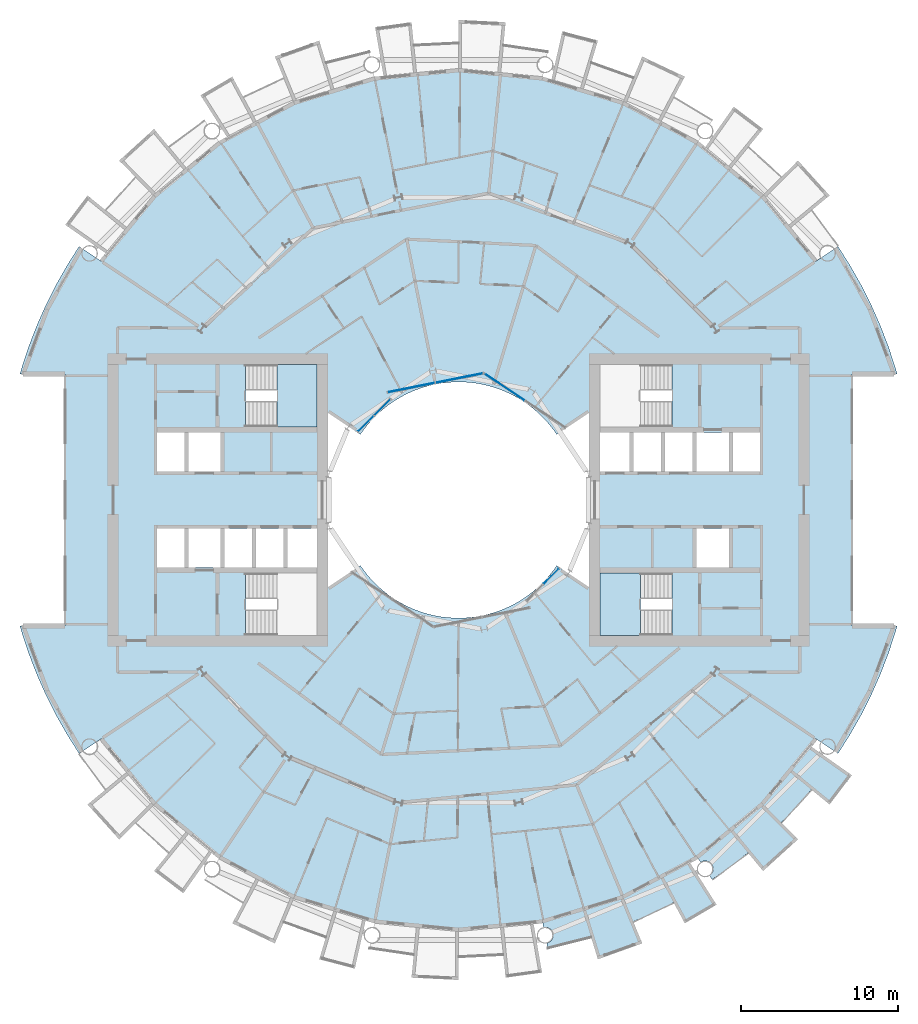
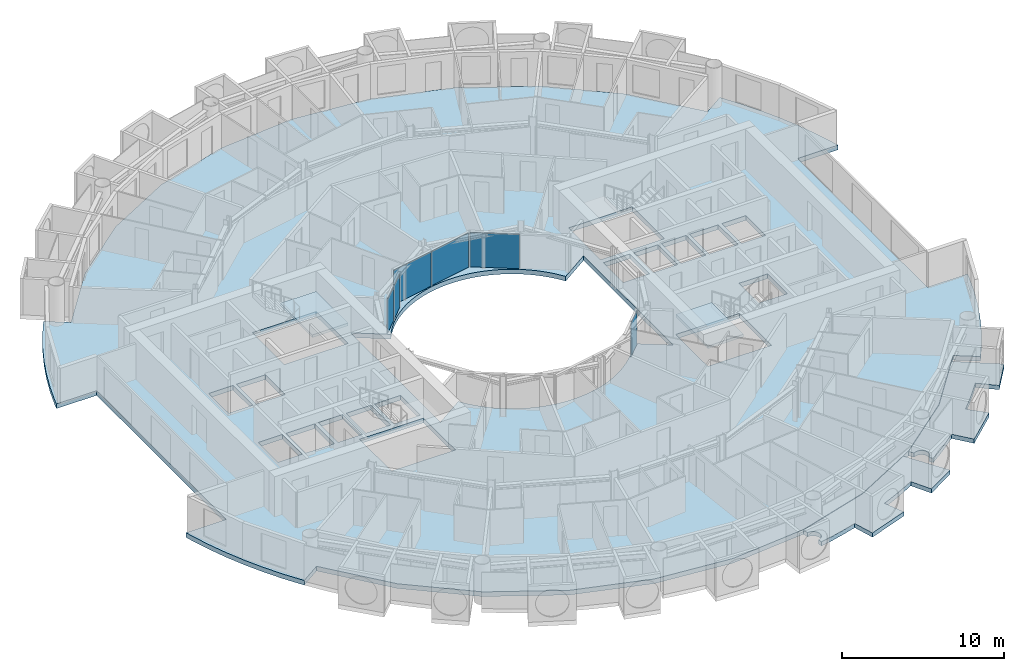
# One storey, part 10 of 26: 6 plates, 5 slabs, 6 elements without a shape of their own.
"""IFC4 building model written with IfcOpenShell, lengths in metres."""

from ifc_helpers import new_model, si_unit, direction, frame, origin, origin_2d, place, context, subcontext, project, spatial, polyline, rectangle, outline, extrude, material, layer, layer_set, type_object, element, aggregate, save


model = new_model("IFC4")

# Units and contexts
model_context = context("Model", 3, precision=1e-05, world=origin(), true_north=direction((0.0, 1.0)))
body_context = subcontext(model_context, "Body", "Model", "MODEL_VIEW")
ifc_project = project(units=[si_unit("LENGTHUNIT", "METRE"), si_unit("AREAUNIT", "SQUARE_METRE"), si_unit("VOLUMEUNIT", "CUBIC_METRE"), si_unit("PLANEANGLEUNIT", "RADIAN"), si_unit("MASSUNIT", "GRAM", prefix="KILO")], contexts=[model_context])

# Site, building, storey
site_placement = place(None, origin())
site = spatial("IfcSite", under=ifc_project, at=site_placement, CompositionType="ELEMENT")
building_placement = place(site_placement, origin())
building = spatial("IfcBuilding", under=site, at=building_placement, Name="Maasbend Ring Residences", CompositionType="ELEMENT")
storey_placement = place(building_placement, frame((0.0, 0.0, 63.60009765625)))
storey = spatial("IfcBuildingStorey", under=building, at=storey_placement, Name="L17", CompositionType="ELEMENT", Elevation=63.60009765625)

# Stair, slab
ifc_material_1 = material(Name="Concrete C40/50", Category="concrete")
stair_type = type_object("IfcStairType", Name="CORE STAIR 18 RISERS", PredefinedType="HALF_TURN_STAIR", material=ifc_material_1)
stair_1_placement = place(storey_placement, origin())
stair_1 = element("IfcStair", 1, at=stair_1_placement, inside=storey, type_object=stair_type, Name="L17 Exit stair ST-E2", PredefinedType="HALF_TURN_STAIR")
ifc_material_2 = material(Name="Concrete C40/50", Category="concrete")
ifc_layer_1 = layer(ifc_material_2, 0.199951171875)
ifc_layer_set_1 = layer_set([ifc_layer_1], Name="Concrete C40/50")
slab_type_1 = type_object("IfcSlabType", Name="CORE STAIR LANDING 200", PredefinedType="LANDING", material=ifc_layer_set_1)
slab_1_placement = place(storey_placement, frame((0.0, 0.0, 1.324951171875)))
slab_1 = element("IfcSlab", 2, at=slab_1_placement, type_object=slab_type_1, Name="ST-E2 landing 1", PredefinedType="LANDING", context=body_context, shape_type="SweptSolid", body=[
    extrude(outline(polyline([(11.550048828125, -4.64990234375), (9.0, -4.64990234375), (9.0, -8.60009765625), (11.550048828125, -8.60009765625), (11.550048828125, -4.64990234375)])), origin(), (0.0, 0.0, 1.0), 0.199951171875),
])
aggregate(stair_1, [slab_1])

stair_2_placement = place(storey_placement, origin())
stair_2 = element("IfcStair", 3, at=stair_2_placement, inside=storey, type_object=stair_type, Name="L17 Exit stair ST-W2", PredefinedType="HALF_TURN_STAIR")
slab_2_placement = place(storey_placement, frame((0.0, 0.0, 1.324951171875)))
slab_2 = element("IfcSlab", 4, at=slab_2_placement, type_object=slab_type_1, Name="ST-W2 landing 1", PredefinedType="LANDING", context=body_context, shape_type="SweptSolid", body=[
    extrude(outline(polyline([(-11.550048828125, 4.64990234375), (-9.0, 4.64990234375), (-9.0, 8.60009765625), (-11.550048828125, 8.60009765625), (-11.550048828125, 4.64990234375)])), origin(), (0.0, 0.0, 1.0), 0.199951171875),
])
aggregate(stair_2, [slab_2])

# Curtain wall, plate
ifc_material_3 = material(Name="Aluminium and clear glass", Category="aluminium")
ifc_layer_2 = layer(ifc_material_3, 0.179931640625)
ifc_layer_set_2 = layer_set([ifc_layer_2], Name="CW-W")
curtain_wall_type = type_object("IfcCurtainWallType", Name="CW-W", PredefinedType="NOTDEFINED", material=ifc_layer_set_2)
curtain_wall_1_placement = place(storey_placement, origin())
curtain_wall_1 = element("IfcCurtainWall", 5, at=curtain_wall_1_placement, inside=storey, type_object=curtain_wall_type, Name="Well curtain wall N1", PredefinedType="NOTDEFINED")
ifc_material_4 = material(Name="Glass clear laminated", Category="glass")
ifc_layer_3 = layer(ifc_material_4, 0.031982421875)
ifc_layer_set_3 = layer_set([ifc_layer_3], Name="CWP-W")
plate_type = type_object("IfcPlateType", Name="CWP-W", PredefinedType="CURTAIN_PANEL", material=ifc_layer_set_3)
plate_1_placement = place(storey_placement, frame((2.922119140625, 7.17578125, -0.000244140625), z_axis=(0.0, 0.0, 1.0), x_axis=(-0.831469612303, 0.55557023302, 0.0)))
plate_1 = element("IfcPlate", 6, at=plate_1_placement, type_object=plate_type, Name="Glass panel well face", PredefinedType="CURTAIN_PANEL", context=body_context, shape_type="SweptSolid", body=[
    extrude(rectangle(XDim=3.053955078125, YDim=0.031982421875, at=origin_2d()), origin(), (0.0, 0.0, 1.0), 2.580078125),
])
aggregate(curtain_wall_1, [plate_1])

# Curtain wall, plates
curtain_wall_2_placement = place(storey_placement, origin())
curtain_wall_2 = element("IfcCurtainWall", 7, at=curtain_wall_2_placement, inside=storey, type_object=curtain_wall_type, Name="Well curtain wall N2", PredefinedType="NOTDEFINED")
plate_2_placement = place(storey_placement, frame((0.04638671875, 7.747802734375, -0.000244140625), z_axis=(0.0, 0.0, 1.0), x_axis=(-0.980785280403, -0.195090322016, 0.0)))
plate_2 = element("IfcPlate", 8, at=plate_2_placement, type_object=plate_type, Name="Glass panel well face", PredefinedType="CURTAIN_PANEL", context=body_context, shape_type="SweptSolid", body=[
    extrude(rectangle(XDim=3.053955078125, YDim=0.031982421875, at=origin_2d()), origin(), (0.0, 0.0, 1.0), 2.580078125),
])
plate_3_placement = place(storey_placement, frame((-3.0078125, 7.140380859375, -0.000244140625), z_axis=(0.0, 0.0, 1.0), x_axis=(-0.980785280403, -0.195090322016, 0.0)))
plate_3 = element("IfcPlate", 9, at=plate_3_placement, type_object=plate_type, Name="Glass panel well face", PredefinedType="CURTAIN_PANEL", context=body_context, shape_type="SweptSolid", body=[
    extrude(rectangle(XDim=3.053955078125, YDim=0.031982421875, at=origin_2d()), origin(), (0.0, 0.0, 1.0), 2.580078125),
])
aggregate(curtain_wall_2, [plate_2, plate_3])

curtain_wall_3_placement = place(storey_placement, origin())
curtain_wall_3 = element("IfcCurtainWall", 10, at=curtain_wall_3_placement, inside=storey, type_object=curtain_wall_type, Name="Well curtain wall N3", PredefinedType="NOTDEFINED")
plate_4_placement = place(storey_placement, frame((-4.84375, 5.89013671875, -0.000244140625), z_axis=(0.0, 0.0, 1.0), x_axis=(-0.707106781187, -0.707106781187, 0.0)))
plate_4 = element("IfcPlate", 11, at=plate_4_placement, type_object=plate_type, Name="Glass panel well face", PredefinedType="CURTAIN_PANEL", context=body_context, shape_type="SweptSolid", body=[
    extrude(rectangle(XDim=1.419677734375, YDim=0.031982421875, at=origin_2d()), origin(), (0.0, 0.0, 1.0), 2.580078125),
])
plate_5_placement = place(storey_placement, frame((-5.89013671875, 4.84375, -0.000244140625), z_axis=(0.0, 0.0, 1.0), x_axis=(-0.707106781187, -0.707106781187, 0.0)))
plate_5 = element("IfcPlate", 12, at=plate_5_placement, type_object=plate_type, Name="Glass panel well face", PredefinedType="CURTAIN_PANEL", context=body_context, shape_type="SweptSolid", body=[
    extrude(rectangle(XDim=1.419677734375, YDim=0.031982421875, at=origin_2d()), origin(), (0.0, 0.0, 1.0), 2.580078125),
])
aggregate(curtain_wall_3, [plate_4, plate_5])

# Curtain wall, plate
curtain_wall_4_placement = place(storey_placement, origin())
curtain_wall_4 = element("IfcCurtainWall", 13, at=curtain_wall_4_placement, inside=storey, type_object=curtain_wall_type, Name="Well curtain wall S3", PredefinedType="NOTDEFINED")
plate_6_placement = place(storey_placement, frame((5.89013671875, -4.84375, -0.000244140625), z_axis=(0.0, 0.0, 1.0), x_axis=(0.707106781187, 0.707106781187, 0.0)))
plate_6 = element("IfcPlate", 14, at=plate_6_placement, type_object=plate_type, Name="Glass panel well face", PredefinedType="CURTAIN_PANEL", context=body_context, shape_type="SweptSolid", body=[
    extrude(rectangle(XDim=1.419677734375, YDim=0.031982421875, at=origin_2d()), origin(), (0.0, 0.0, 1.0), 2.580078125),
])
aggregate(curtain_wall_4, [plate_6])

# Slabs
ifc_material_5 = material(Name="Concrete C40/50", Category="concrete")
ifc_layer_4 = layer(ifc_material_5, 0.35009765625)
ifc_layer_set_4 = layer_set([ifc_layer_4], Name="Concrete C40/50")
slab_type_2 = type_object("IfcSlabType", Name="Post-tensioned flat plate 350", PredefinedType="FLOOR", material=ifc_layer_set_4)
slab_3_placement = place(storey_placement, frame((0.0, 0.0, -0.35009765625)))
element("IfcSlab", 15, at=slab_3_placement, inside=storey, type_object=slab_type_2, Name="Floor slab L17", PredefinedType="FLOOR", context=body_context, shape_type="SweptSolid", body=[
    extrude(outline(polyline([(24.8740234375, -14.908935546875), (25.57568359375, -13.67041015625), (26.2158203125, -12.399169921875), (26.79248046875, -11.097900390625), (27.3046875, -9.769775390625), (27.751220703125, -8.418212890625), (27.866943359375, -8.0), (25.0, -8.0), (25.0, 8.0), (27.866943359375, 8.0), (27.751220703125, 8.418212890625), (27.3046875, 9.769775390625), (26.79248046875, 11.097900390625), (26.2158203125, 12.399169921875), (25.57568359375, 13.67041015625), (24.8740234375, 14.908935546875), (24.112548828125, 16.111572265625), (22.69921875, 15.1669921875), (19.303955078125, 19.303955078125), (15.1669921875, 22.69921875), (10.447265625, 25.221923828125), (5.325927734375, 26.775390625), (0.0, 27.300048828125), (-5.325927734375, 26.775390625), (-10.447265625, 25.221923828125), (-15.1669921875, 22.69921875), (-19.303955078125, 19.303955078125), (-22.69921875, 15.1669921875), (-24.112548828125, 16.111572265625), (-24.8740234375, 14.908935546875), (-25.57568359375, 13.67041015625), (-26.2158203125, 12.399169921875), (-26.79248046875, 11.097900390625), (-27.3046875, 9.769775390625), (-27.751220703125, 8.418212890625), (-27.866943359375, 8.0), (-25.0, 8.0), (-25.0, -8.0), (-27.866943359375, -8.0), (-27.751220703125, -8.418212890625), (-27.3046875, -9.769775390625), (-26.79248046875, -11.097900390625), (-26.2158203125, -12.399169921875), (-25.57568359375, -13.67041015625), (-24.8740234375, -14.908935546875), (-24.112548828125, -16.111572265625), (-22.69921875, -15.1669921875), (-19.303955078125, -19.303955078125), (-15.1669921875, -22.69921875), (-10.447265625, -25.221923828125), (-5.325927734375, -26.775390625), (0.0, -27.300048828125), (5.325927734375, -26.775390625), (10.447265625, -25.221923828125), (15.1669921875, -22.69921875), (19.303955078125, -19.303955078125), (22.69921875, -15.1669921875), (24.112548828125, -16.111572265625), (24.8740234375, -14.908935546875)]), holes=[polyline([(17.425048828125, 4.27490234375), (19.14990234375, 4.27490234375), (19.14990234375, 1.824951171875), (17.425048828125, 1.824951171875), (17.425048828125, 4.27490234375)]), polyline([(15.125, 1.824951171875), (15.125, 4.27490234375), (17.175048828125, 4.27490234375), (17.175048828125, 1.824951171875), (15.125, 1.824951171875)]), polyline([(15.125, -4.27490234375), (15.125, -1.824951171875), (17.175048828125, -1.824951171875), (17.175048828125, -4.27490234375), (15.125, -4.27490234375)]), polyline([(13.125, 1.824951171875), (13.125, 4.27490234375), (14.875, 4.27490234375), (14.875, 1.824951171875), (13.125, 1.824951171875)]), polyline([(13.550048828125, 4.64990234375), (9.0, 4.64990234375), (9.0, 8.60009765625), (13.550048828125, 8.60009765625), (13.550048828125, 4.64990234375)]), polyline([(13.550048828125, -4.64990234375), (13.550048828125, -8.60009765625), (9.0, -8.60009765625), (9.0, -4.64990234375), (13.550048828125, -4.64990234375)]), polyline([(11.125, 1.824951171875), (11.125, 4.27490234375), (12.875, 4.27490234375), (12.875, 1.824951171875), (11.125, 1.824951171875)]), polyline([(9.0, 1.824951171875), (9.0, 4.27490234375), (10.875, 4.27490234375), (10.875, 1.824951171875), (9.0, 1.824951171875)]), polyline([(6.024169921875, 4.4677734375), (6.236083984375, 4.166748046875), (8.300048828125, 5.5458984375), (8.300048828125, -5.5458984375), (6.236083984375, -4.166748046875), (6.024169921875, -4.4677734375), (5.797607421875, -4.7578125), (5.55712890625, -5.03662109375), (5.30322265625, -5.30322265625), (5.03662109375, -5.55712890625), (4.7578125, -5.797607421875), (4.4677734375, -6.024169921875), (4.166748046875, -6.236083984375), (3.855712890625, -6.43310546875), (3.535400390625, -6.614501953125), (3.206787109375, -6.77978515625), (2.8701171875, -6.92919921875), (2.526611328125, -7.0615234375), (2.177001953125, -7.177001953125), (1.822509765625, -7.275146484375), (1.463134765625, -7.35595703125), (1.1005859375, -7.418701171875), (0.735107421875, -7.4638671875), (0.367919921875, -7.490966796875), (0.0, -7.5), (-0.367919921875, -7.490966796875), (-0.735107421875, -7.4638671875), (-1.1005859375, -7.418701171875), (-1.463134765625, -7.35595703125), (-1.822509765625, -7.275146484375), (-2.177001953125, -7.177001953125), (-2.526611328125, -7.0615234375), (-2.8701171875, -6.92919921875), (-3.206787109375, -6.77978515625), (-3.535400390625, -6.614501953125), (-3.855712890625, -6.43310546875), (-4.166748046875, -6.236083984375), (-4.4677734375, -6.024169921875), (-4.7578125, -5.797607421875), (-5.03662109375, -5.55712890625), (-5.30322265625, -5.30322265625), (-5.55712890625, -5.03662109375), (-5.797607421875, -4.7578125), (-6.024169921875, -4.4677734375), (-6.236083984375, -4.166748046875), (-8.300048828125, -5.5458984375), (-8.300048828125, 5.5458984375), (-6.236083984375, 4.166748046875), (-6.236083984375, 4.166748046875), (-6.024169921875, 4.4677734375), (-5.797607421875, 4.7578125), (-5.55712890625, 5.03662109375), (-5.30322265625, 5.30322265625), (-5.03662109375, 5.55712890625), (-4.7578125, 5.797607421875), (-4.4677734375, 6.024169921875), (-4.166748046875, 6.236083984375), (-3.855712890625, 6.43310546875), (-3.535400390625, 6.614501953125), (-3.206787109375, 6.77978515625), (-2.8701171875, 6.92919921875), (-2.526611328125, 7.0615234375), (-2.177001953125, 7.177001953125), (-1.822509765625, 7.275146484375), (-1.463134765625, 7.35595703125), (-1.1005859375, 7.418701171875), (-0.735107421875, 7.4638671875), (-0.367919921875, 7.490966796875), (0.0, 7.5), (0.367919921875, 7.490966796875), (0.735107421875, 7.4638671875), (1.1005859375, 7.418701171875), (1.463134765625, 7.35595703125), (1.822509765625, 7.275146484375), (2.177001953125, 7.177001953125), (2.526611328125, 7.0615234375), (2.8701171875, 6.92919921875), (3.206787109375, 6.77978515625), (3.535400390625, 6.614501953125), (3.855712890625, 6.43310546875), (4.166748046875, 6.236083984375), (4.4677734375, 6.024169921875), (4.7578125, 5.797607421875), (5.03662109375, 5.55712890625), (5.30322265625, 5.30322265625), (5.55712890625, 5.03662109375), (5.797607421875, 4.7578125), (6.024169921875, 4.4677734375)]), polyline([(-13.550048828125, 4.64990234375), (-13.550048828125, 8.60009765625), (-9.0, 8.60009765625), (-9.0, 4.64990234375), (-13.550048828125, 4.64990234375)]), polyline([(-13.550048828125, -8.60009765625), (-13.550048828125, -4.64990234375), (-9.0, -4.64990234375), (-9.0, -8.60009765625), (-13.550048828125, -8.60009765625)]), polyline([(-9.0, -1.824951171875), (-9.0, -4.27490234375), (-10.875, -4.27490234375), (-10.875, -1.824951171875), (-9.0, -1.824951171875)]), polyline([(-11.125, -1.824951171875), (-11.125, -4.27490234375), (-12.875, -4.27490234375), (-12.875, -1.824951171875), (-11.125, -1.824951171875)]), polyline([(-13.125, -1.824951171875), (-13.125, -4.27490234375), (-14.875, -4.27490234375), (-14.875, -1.824951171875), (-13.125, -1.824951171875)]), polyline([(-15.125, 4.27490234375), (-15.125, 1.824951171875), (-17.175048828125, 1.824951171875), (-17.175048828125, 4.27490234375), (-15.125, 4.27490234375)]), polyline([(-15.125, -1.824951171875), (-15.125, -4.27490234375), (-17.175048828125, -4.27490234375), (-17.175048828125, -1.824951171875), (-15.125, -1.824951171875)]), polyline([(-17.425048828125, -1.824951171875), (-17.425048828125, -4.27490234375), (-19.14990234375, -4.27490234375), (-19.14990234375, -1.824951171875), (-17.425048828125, -1.824951171875)]), polyline([(-17.425048828125, 4.27490234375), (-17.425048828125, 1.824951171875), (-19.14990234375, 1.824951171875), (-19.14990234375, 4.27490234375), (-17.425048828125, 4.27490234375)])]), origin(), (0.0, 0.0, 1.0), 0.35009765625),
])
ifc_material_6 = material(Name="Concrete C40/50", Category="concrete")
ifc_layer_5 = layer(ifc_material_6, 0.199951171875)
ifc_layer_set_5 = layer_set([ifc_layer_5], Name="Concrete C40/50")
slab_type_3 = type_object("IfcSlabType", Name="SL-LOGGIA", PredefinedType="FLOOR", material=ifc_layer_set_5)
slab_4_placement = place(storey_placement, frame((0.0, 0.0, -0.35009765625)))
element("IfcSlab", 16, at=slab_4_placement, inside=storey, type_object=slab_type_3, Name="Loggia floor 2", PredefinedType="FLOOR", context=body_context, shape_type="SweptSolid", body=[
    extrude(outline(polyline([(10.447021484375, -25.221923828125), (12.806884765625, -23.9609375), (14.64599609375, -22.97705078125), (14.64599609375, -22.97705078125), (14.64599609375, -22.97705078125), (16.39404296875, -25.718994140625), (16.39404296875, -25.718994140625), (16.39404296875, -25.718994140625), (14.3779296875, -26.89892578125), (14.3779296875, -26.89892578125), (14.3779296875, -26.89892578125), (13.6708984375, -25.575927734375), (13.6708984375, -25.575927734375), (13.6708984375, -25.575927734375), (13.6708984375, -25.575927734375), (13.6708984375, -25.575927734375), (13.6708984375, -25.575927734375), (13.6708984375, -25.575927734375), (13.669921875, -25.575927734375), (13.669921875, -25.575927734375), (13.669921875, -25.575927734375), (13.669921875, -25.575927734375), (13.669921875, -25.575927734375), (13.669921875, -25.575927734375), (13.669921875, -25.575927734375), (13.669921875, -25.575927734375), (13.669921875, -25.575927734375), (13.669921875, -25.575927734375), (12.825927734375, -26.009033203125), (12.825927734375, -26.009033203125), (11.968994140625, -26.4150390625), (11.968994140625, -26.4150390625), (11.097900390625, -26.7919921875), (11.097900390625, -26.7919921875), (11.097900390625, -26.7919921875), (11.097900390625, -26.7919921875), (11.097900390625, -26.7919921875), (11.097900390625, -26.7919921875), (11.097900390625, -26.7919921875), (11.097900390625, -26.79296875), (11.097900390625, -26.79296875), (11.097900390625, -26.79296875), (11.097900390625, -26.79296875), (11.097900390625, -26.79296875), (11.097900390625, -26.79296875), (11.097900390625, -26.79296875), (11.097900390625, -26.79296875), (11.097900390625, -26.79296875), (11.097900390625, -26.79296875), (11.672119140625, -28.177978515625), (11.672119140625, -28.177978515625), (11.672119140625, -28.177978515625), (8.85400390625, -29.18701171875), (8.85400390625, -29.18701171875), (8.85400390625, -29.18701171875), (8.41796875, -27.751953125), (8.41796875, -27.751953125), (8.41796875, -27.751953125), (8.41796875, -27.751953125), (8.41796875, -27.751953125), (8.41796875, -27.751953125), (8.41796875, -27.751953125), (8.41796875, -27.7509765625), (8.41796875, -27.7509765625), (8.41796875, -27.7509765625), (8.41796875, -27.7509765625), (8.41796875, -27.7509765625), (8.41796875, -27.7509765625), (8.41796875, -27.7509765625), (8.41796875, -27.7509765625), (8.41796875, -27.7509765625), (8.41796875, -27.7509765625), (7.506103515625, -28.011962890625), (7.506103515625, -28.011962890625), (6.5849609375, -28.241943359375), (6.5849609375, -28.241943359375), (5.657958984375, -28.443115234375), (5.657958984375, -28.443115234375), (5.657958984375, -28.443115234375), (5.60107421875, -28.156005859375), (5.613037109375, -28.154052734375), (5.625, -28.15087890625), (5.636962890625, -28.14794921875), (5.64892578125, -28.14404296875), (5.660888671875, -28.139892578125), (5.673095703125, -28.135986328125), (5.68408203125, -28.132080078125), (5.696044921875, -28.126953125), (5.70703125, -28.123046875), (5.718994140625, -28.116943359375), (5.72998046875, -28.112060546875), (5.740966796875, -28.10595703125), (5.751953125, -28.10009765625), (5.762939453125, -28.093994140625), (5.77294921875, -28.0869140625), (5.783935546875, -28.080078125), (5.7939453125, -28.072998046875), (5.803955078125, -28.06591796875), (5.81396484375, -28.05908203125), (5.823974609375, -28.051025390625), (5.8330078125, -28.04296875), (5.843017578125, -28.034912109375), (5.85205078125, -28.02587890625), (5.861083984375, -28.01708984375), (5.868896484375, -28.008056640625), (5.8779296875, -27.9990234375), (5.885986328125, -27.989990234375), (5.89404296875, -27.97998046875), (5.902099609375, -27.970947265625), (5.909912109375, -27.9609375), (5.9169921875, -27.950927734375), (5.924072265625, -27.93994140625), (5.930908203125, -27.929931640625), (5.93701171875, -27.9189453125), (5.944091796875, -27.907958984375), (5.949951171875, -27.89794921875), (5.955078125, -27.886962890625), (5.9609375, -27.875), (5.966064453125, -27.864013671875), (5.970947265625, -27.85302734375), (5.97509765625, -27.841064453125), (5.97998046875, -27.8291015625), (5.98388671875, -27.81689453125), (5.988037109375, -27.805908203125), (5.990966796875, -27.7939453125), (5.993896484375, -27.781982421875), (5.9970703125, -27.76904296875), (6.0, -27.757080078125), (6.001953125, -27.7451171875), (6.00390625, -27.73291015625), (6.006103515625, -27.719970703125), (6.007080078125, -27.7080078125), (6.008056640625, -27.695068359375), (6.009033203125, -27.68310546875), (6.009033203125, -27.6708984375), (6.010009765625, -27.657958984375), (6.009033203125, -27.64599609375), (6.009033203125, -27.633056640625), (6.008056640625, -27.62109375), (6.007080078125, -27.60791015625), (6.006103515625, -27.595947265625), (6.00390625, -27.583984375), (6.001953125, -27.571044921875), (6.0, -27.55908203125), (5.9970703125, -27.547119140625), (5.993896484375, -27.534912109375), (5.990966796875, -27.52294921875), (5.988037109375, -27.510986328125), (5.98388671875, -27.4990234375), (5.97998046875, -27.487060546875), (5.97509765625, -27.47509765625), (5.970947265625, -27.464111328125), (5.966064453125, -27.451904296875), (5.9609375, -27.44091796875), (5.955078125, -27.429931640625), (5.949951171875, -27.4189453125), (5.944091796875, -27.407958984375), (5.93701171875, -27.39697265625), (5.930908203125, -27.385986328125), (5.924072265625, -27.3759765625), (5.9169921875, -27.365966796875), (5.909912109375, -27.35498046875), (5.902099609375, -27.345947265625), (5.89404296875, -27.3359375), (5.885986328125, -27.325927734375), (5.8779296875, -27.31689453125), (5.868896484375, -27.30810546875), (5.861083984375, -27.299072265625), (5.85205078125, -27.2900390625), (5.843017578125, -27.281982421875), (5.8330078125, -27.27294921875), (5.823974609375, -27.264892578125), (5.81396484375, -27.258056640625), (5.803955078125, -27.25), (5.7939453125, -27.242919921875), (5.783935546875, -27.236083984375), (5.77294921875, -27.22900390625), (5.762939453125, -27.221923828125), (5.751953125, -27.216064453125), (5.740966796875, -27.2099609375), (5.72998046875, -27.2041015625), (5.718994140625, -27.198974609375), (5.70703125, -27.194091796875), (5.696044921875, -27.18896484375), (5.68408203125, -27.18408203125), (5.673095703125, -27.179931640625), (5.660888671875, -27.176025390625), (5.64892578125, -27.172119140625), (5.636962890625, -27.1689453125), (5.625, -27.1650390625), (5.613037109375, -27.162109375), (5.60107421875, -27.159912109375), (5.587890625, -27.157958984375), (5.575927734375, -27.156005859375), (5.56396484375, -27.154052734375), (5.551025390625, -27.153076171875), (5.5390625, -27.15087890625), (5.52587890625, -27.15087890625), (5.513916015625, -27.14990234375), (5.501953125, -27.14990234375), (5.489013671875, -27.14990234375), (5.47705078125, -27.15087890625), (5.464111328125, -27.15087890625), (5.451904296875, -27.153076171875), (5.43896484375, -27.154052734375), (5.427001953125, -27.156005859375), (5.4150390625, -27.157958984375), (5.402099609375, -27.159912109375), (5.325927734375, -26.77490234375), (5.325927734375, -26.77490234375), (5.325927734375, -26.77490234375), (7.886962890625, -25.9990234375), (10.447021484375, -25.221923828125), (10.447021484375, -25.221923828125), (10.447021484375, -25.221923828125)])), origin(), (0.0, 0.0, 1.0), 0.320068359375),
])
slab_5_placement = place(storey_placement, frame((0.0, 0.0, -0.35009765625)))
element("IfcSlab", 17, at=slab_5_placement, inside=storey, type_object=slab_type_3, Name="Loggia floor 5", PredefinedType="FLOOR", context=body_context, shape_type="SweptSolid", body=[
    extrude(outline(polyline([(19.303955078125, -19.303955078125), (21.001953125, -17.236083984375), (22.324951171875, -15.623046875), (22.324951171875, -15.623046875), (22.324951171875, -15.623046875), (24.989013671875, -17.488037109375), (24.989013671875, -17.488037109375), (24.989013671875, -17.488037109375), (23.576904296875, -19.34912109375), (23.576904296875, -19.34912109375), (23.576904296875, -19.34912109375), (22.41796875, -18.39794921875), (22.41796875, -18.39794921875), (22.41796875, -18.39794921875), (22.41796875, -18.39794921875), (22.41796875, -18.39794921875), (22.4169921875, -18.39794921875), (22.4169921875, -18.39794921875), (22.4169921875, -18.39794921875), (22.4169921875, -18.39794921875), (22.4169921875, -18.39794921875), (22.4169921875, -18.39794921875), (22.4169921875, -18.39794921875), (22.4169921875, -18.39794921875), (22.4169921875, -18.39794921875), (22.4169921875, -18.39794921875), (22.4169921875, -18.39794921875), (22.4169921875, -18.39794921875), (21.802978515625, -19.12109375), (21.802978515625, -19.12109375), (21.166015625, -19.823974609375), (21.166015625, -19.823974609375), (20.506103515625, -20.506103515625), (20.506103515625, -20.506103515625), (20.506103515625, -20.506103515625), (20.506103515625, -20.506103515625), (20.506103515625, -20.506103515625), (20.506103515625, -20.506103515625), (20.506103515625, -20.506103515625), (20.506103515625, -20.506103515625), (20.506103515625, -20.506103515625), (20.506103515625, -20.506103515625), (20.506103515625, -20.506103515625), (20.506103515625, -20.506103515625), (20.506103515625, -20.506103515625), (20.506103515625, -20.506103515625), (20.506103515625, -20.506103515625), (20.506103515625, -20.506103515625), (20.506103515625, -20.506103515625), (21.56689453125, -21.56689453125), (21.56689453125, -21.56689453125), (21.56689453125, -21.56689453125), (19.34912109375, -23.576904296875), (19.34912109375, -23.576904296875), (19.34912109375, -23.576904296875), (18.39794921875, -22.41796875), (18.39794921875, -22.41796875), (18.39794921875, -22.41796875), (18.39794921875, -22.41796875), (18.39794921875, -22.41796875), (18.39794921875, -22.41796875), (18.39697265625, -22.41796875), (18.39697265625, -22.41796875), (18.39697265625, -22.41796875), (18.39697265625, -22.41796875), (18.39697265625, -22.41796875), (18.39697265625, -22.41796875), (18.39697265625, -22.41796875), (18.39697265625, -22.41796875), (18.39697265625, -22.41796875), (18.39697265625, -22.41796875), (18.39697265625, -22.41796875), (17.654052734375, -23.007080078125), (17.654052734375, -23.007080078125), (16.89208984375, -23.572998046875), (16.89208984375, -23.572998046875), (16.112060546875, -24.113037109375), (16.112060546875, -24.113037109375), (16.112060546875, -24.113037109375), (15.948974609375, -23.8701171875), (15.948974609375, -23.8701171875), (15.9599609375, -23.863037109375), (15.969970703125, -23.85498046875), (15.97998046875, -23.847900390625), (15.989013671875, -23.840087890625), (15.9990234375, -23.83203125), (16.008056640625, -23.823974609375), (16.01708984375, -23.81494140625), (16.02587890625, -23.806884765625), (16.034912109375, -23.798095703125), (16.0439453125, -23.7890625), (16.052001953125, -23.779052734375), (16.06005859375, -23.77001953125), (16.068115234375, -23.760009765625), (16.074951171875, -23.75), (16.08203125, -23.739990234375), (16.089111328125, -23.72998046875), (16.095947265625, -23.718994140625), (16.10302734375, -23.708984375), (16.10888671875, -23.697998046875), (16.114990234375, -23.68701171875), (16.12109375, -23.676025390625), (16.1259765625, -23.6650390625), (16.132080078125, -23.653076171875), (16.135986328125, -23.64208984375), (16.14111328125, -23.6298828125), (16.14501953125, -23.618896484375), (16.14892578125, -23.60693359375), (16.153076171875, -23.594970703125), (16.156982421875, -23.5830078125), (16.159912109375, -23.571044921875), (16.1630859375, -23.55908203125), (16.1650390625, -23.547119140625), (16.16796875, -23.533935546875), (16.169921875, -23.52197265625), (16.1708984375, -23.510009765625), (16.173095703125, -23.4970703125), (16.174072265625, -23.485107421875), (16.174072265625, -23.471923828125), (16.175048828125, -23.4599609375), (16.175048828125, -23.447021484375), (16.175048828125, -23.43505859375), (16.174072265625, -23.422119140625), (16.174072265625, -23.409912109375), (16.173095703125, -23.39794921875), (16.1708984375, -23.385009765625), (16.169921875, -23.373046875), (16.16796875, -23.361083984375), (16.1650390625, -23.347900390625), (16.1630859375, -23.3359375), (16.159912109375, -23.323974609375), (16.156982421875, -23.31201171875), (16.153076171875, -23.300048828125), (16.14892578125, -23.2880859375), (16.14501953125, -23.27587890625), (16.14111328125, -23.264892578125), (16.135986328125, -23.2529296875), (16.132080078125, -23.241943359375), (16.1259765625, -23.22998046875), (16.12109375, -23.218994140625), (16.114990234375, -23.2080078125), (16.10888671875, -23.197021484375), (16.10302734375, -23.18603515625), (16.095947265625, -23.176025390625), (16.089111328125, -23.1650390625), (16.08203125, -23.155029296875), (16.074951171875, -23.14501953125), (16.068115234375, -23.135009765625), (16.06005859375, -23.125), (16.052001953125, -23.115966796875), (16.0439453125, -23.10595703125), (16.034912109375, -23.096923828125), (16.02587890625, -23.087890625), (16.01708984375, -23.0791015625), (16.008056640625, -23.071044921875), (15.9990234375, -23.06298828125), (15.989013671875, -23.054931640625), (15.97998046875, -23.047119140625), (15.969970703125, -23.0390625), (15.9599609375, -23.031982421875), (15.948974609375, -23.02490234375), (15.93896484375, -23.01806640625), (15.927978515625, -23.011962890625), (15.9169921875, -23.0048828125), (15.906982421875, -22.9990234375), (15.89599609375, -22.993896484375), (15.884033203125, -22.988037109375), (15.873046875, -22.98291015625), (15.862060546875, -22.97802734375), (15.85009765625, -22.972900390625), (15.837890625, -22.968994140625), (15.825927734375, -22.965087890625), (15.81494140625, -22.9609375), (15.802978515625, -22.9580078125), (15.791015625, -22.955078125), (15.778076171875, -22.951904296875), (15.76611328125, -22.948974609375), (15.75390625, -22.947021484375), (15.741943359375, -22.945068359375), (15.72900390625, -22.943115234375), (15.717041015625, -22.94189453125), (15.7041015625, -22.94091796875), (15.69189453125, -22.93994140625), (15.679931640625, -22.93994140625), (15.6669921875, -22.93896484375), (15.655029296875, -22.93994140625), (15.64208984375, -22.93994140625), (15.6298828125, -22.94091796875), (15.616943359375, -22.94189453125), (15.60498046875, -22.943115234375), (15.593017578125, -22.945068359375), (15.580078125, -22.947021484375), (15.568115234375, -22.948974609375), (15.555908203125, -22.951904296875), (15.5439453125, -22.955078125), (15.531982421875, -22.9580078125), (15.52001953125, -22.9609375), (15.508056640625, -22.965087890625), (15.49609375, -22.968994140625), (15.48388671875, -22.972900390625), (15.472900390625, -22.97802734375), (15.4609375, -22.98291015625), (15.449951171875, -22.988037109375), (15.43896484375, -22.993896484375), (15.427978515625, -22.9990234375), (15.4169921875, -23.0048828125), (15.406005859375, -23.011962890625), (15.39501953125, -23.01806640625), (15.385009765625, -23.02490234375), (15.385009765625, -23.02490234375), (15.1669921875, -22.698974609375), (15.1669921875, -22.698974609375), (15.1669921875, -22.698974609375), (17.236083984375, -21.001953125), (19.303955078125, -19.303955078125), (19.303955078125, -19.303955078125), (19.303955078125, -19.303955078125)])), origin(), (0.0, 0.0, 1.0), 0.320068359375),
])

save(model, "model.ifc")
